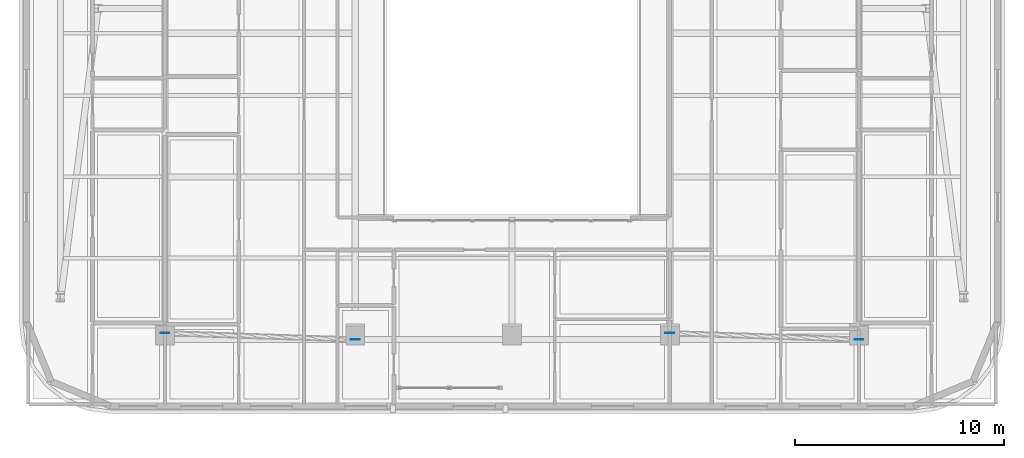
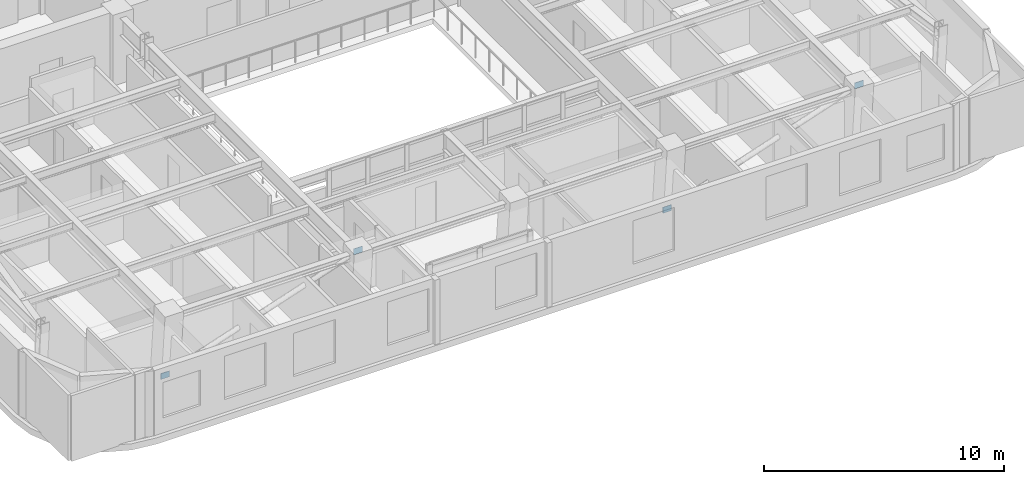
# One storey, part 5 of 15: 4 plates.
"""IFC4 building model written with IfcOpenShell, lengths in metres."""

from ifc_helpers import new_model, si_unit, direction, frame, origin, origin_2d, place, context, subcontext, project, spatial, rectangle, extrude, material, layer, layer_set, type_object, element, save


model = new_model("IFC4")

# Units and contexts
model_context = context("Model", 3, precision=1e-05, world=origin(), true_north=direction((0.0, 1.0)))
body_context = subcontext(model_context, "Body", "Model", "MODEL_VIEW")
ifc_project = project(units=[si_unit("LENGTHUNIT", "METRE"), si_unit("AREAUNIT", "SQUARE_METRE"), si_unit("VOLUMEUNIT", "CUBIC_METRE"), si_unit("PLANEANGLEUNIT", "RADIAN"), si_unit("MASSUNIT", "GRAM", prefix="KILO")], contexts=[model_context])

# Site, building, storey
site_placement = place(None, origin())
site = spatial("IfcSite", under=ifc_project, at=site_placement, CompositionType="ELEMENT")
building_placement = place(site_placement, origin())
building = spatial("IfcBuilding", under=site, at=building_placement, Name="Zarnavel Station Tower", CompositionType="ELEMENT")
storey_placement = place(building_placement, frame((0.0, 0.0, 200.39990234375)))
storey = spatial("IfcBuildingStorey", under=building, at=storey_placement, Name="L54", CompositionType="ELEMENT", Elevation=200.39990234375)

# Plates
ifc_material = material(Name="Steel S460M", Category="steel")
ifc_layer = layer(ifc_material, 0.02490234375)
ifc_layer_set = layer_set([ifc_layer], Name="GP_GUSSET_25")
plate_type = type_object("IfcPlateType", Name="GP_GUSSET_25", PredefinedType="USERDEFINED", material=ifc_layer_set)
for number, where, z_axis, x_axis, name in (
    (1, (12.199951171875, 8.067626953125, -0.14990234375), (0.0, 0.0, 1.0), (1.0, 0.0, 0.0), "L54 Exterior Diagonal Brace End Gusset 1-1"),
    (2, (21.300048828125, 7.76513671875, 3.18994140625), (0.0, 0.0, 1.0), (1.0, 0.0, 0.0), "L54 Exterior Diagonal Brace End Gusset 1-2"),
    (3, (36.35009765625, 8.067626953125, -0.14990234375), (0.0, 0.0, 1.0), (1.0, 0.0, 0.0), "L54 Exterior Diagonal Brace End Gusset 2-1"),
    (4, (45.39990234375, 7.76513671875, 3.18994140625), (0.0, 0.0, 1.0), (1.0, 0.0, 0.0), "L54 Exterior Diagonal Brace End Gusset 2-2"),
):
    element("IfcPlate", number, at=place(storey_placement, frame(where, z_axis=z_axis, x_axis=x_axis)), inside=storey, type_object=plate_type, Name=name, ObjectType="GUSSET_PLATE", PredefinedType="USERDEFINED", context=body_context, shape_type="SweptSolid", body=[
        extrude(rectangle(XDim=0.419921875, YDim=0.02490234375, at=origin_2d()), origin(), (0.0, 0.0, 1.0), 0.300048828125),
    ])

save(model, "model.ifc")
